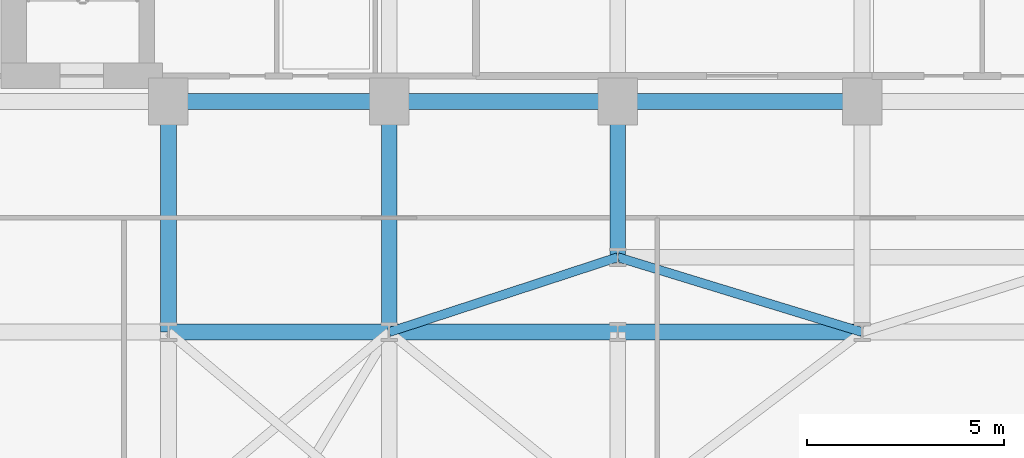
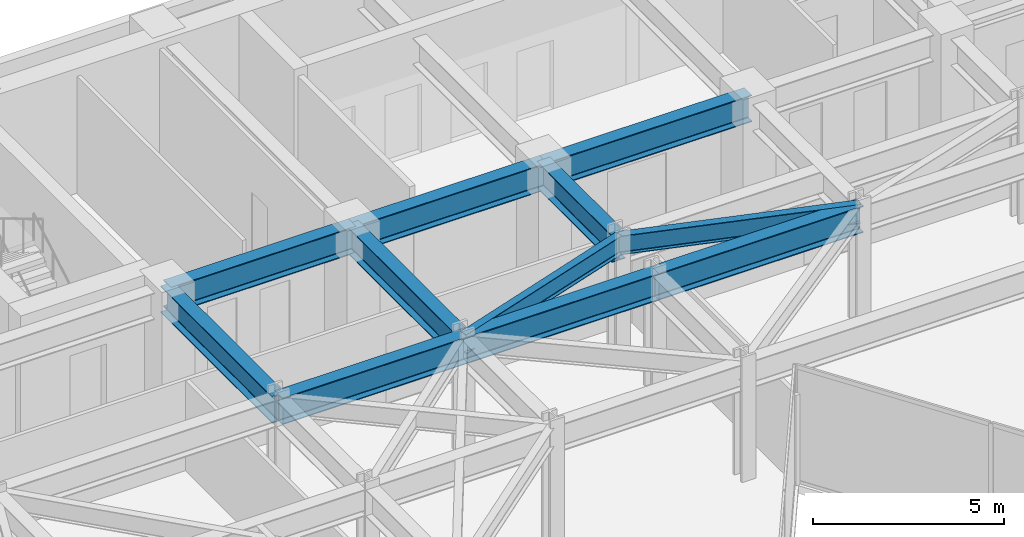
# One storey, part 14 of 26: 11 beams.
"""IFC4 building model written with IfcOpenShell, lengths in metres."""

from ifc_helpers import new_model, si_unit, direction, frame, origin, origin_2d, place, context, subcontext, project, spatial, i_section, extrude, material, material_profile, profile_set, type_object, element, save


model = new_model("IFC4")

# Units and contexts
model_context = context("Model", 3, precision=1e-05, world=origin(), true_north=direction((0.0, 1.0)))
body_context = subcontext(model_context, "Body", "Model", "MODEL_VIEW")
ifc_project = project(units=[si_unit("LENGTHUNIT", "METRE"), si_unit("AREAUNIT", "SQUARE_METRE"), si_unit("VOLUMEUNIT", "CUBIC_METRE"), si_unit("PLANEANGLEUNIT", "RADIAN"), si_unit("MASSUNIT", "GRAM", prefix="KILO")], contexts=[model_context])

# Site, building, storey
site_placement = place(None, origin())
site = spatial("IfcSite", under=ifc_project, at=site_placement, CompositionType="ELEMENT")
building_placement = place(site_placement, origin())
building = spatial("IfcBuilding", under=site, at=building_placement, Name="Kravanh Interchange Tower", CompositionType="ELEMENT")
storey_placement = place(building_placement, frame((0.0, 0.0, 120.0)))
storey = spatial("IfcBuildingStorey", under=building, at=storey_placement, Name="L28", CompositionType="ELEMENT", Elevation=120.0)

# Beams
ifc_material_1 = material(Name="Structural Steel S355", Category="steel")
ifc_material_profile_1 = material_profile(ifc_material_1, i_section(OverallWidth=0.39990234375, OverallDepth=0.85595703125, WebThickness=0.018310546875, FlangeThickness=0.029296875, FilletRadius=0.02490234375, at=origin_2d()), Name="W33X201")
ifc_profile_set_1 = profile_set([ifc_material_profile_1], Name="Structural Steel S355")
beam_type_1 = type_object("IfcBeamType", Name="Floor Beam W33X201 Structural Steel S355", PredefinedType="BEAM", material=ifc_profile_set_1)
beam_1_placement = place(storey_placement, frame((44.800048828125, 37.35009765625, 3.322021484375), z_axis=(-1.0, 0.0, 0.0), x_axis=(0.0, -1.0, 0.0)))
element("IfcBeam", 1, at=beam_1_placement, inside=storey, type_object=beam_type_1, Name="L28 Primary Floor Girder 13", PredefinedType="BEAM", context=body_context, shape_type="SweptSolid", body=[
    extrude(i_section(OverallWidth=0.39990234375, OverallDepth=0.85595703125, WebThickness=0.018310546875, FlangeThickness=0.029296875, FilletRadius=0.02490234375, at=origin_2d()), origin(), (0.0, 0.0, 1.0), 6.199951171875),
])
beam_2_placement = place(storey_placement, frame((38.60009765625, 37.35009765625, 3.322021484375), z_axis=(0.0, -1.0, 0.0), x_axis=(1.0, 0.0, 0.0)))
element("IfcBeam", 2, at=beam_2_placement, inside=storey, type_object=beam_type_1, Name="L28 Primary Floor Girder 16", PredefinedType="BEAM", context=body_context, shape_type="SweptSolid", body=[
    extrude(i_section(OverallWidth=0.39990234375, OverallDepth=0.85595703125, WebThickness=0.018310546875, FlangeThickness=0.029296875, FilletRadius=0.02490234375, at=origin_2d()), origin(), (0.0, 0.0, 1.0), 3.9501953125),
])
beam_3_placement = place(storey_placement, frame((38.60009765625, 37.35009765625, 3.322021484375), z_axis=(-1.0, 0.0, 0.0), x_axis=(0.0, -1.0, 0.0)))
element("IfcBeam", 3, at=beam_3_placement, inside=storey, type_object=beam_type_1, Name="L28 Primary Floor Girder 17", PredefinedType="BEAM", context=body_context, shape_type="SweptSolid", body=[
    extrude(i_section(OverallWidth=0.39990234375, OverallDepth=0.85595703125, WebThickness=0.018310546875, FlangeThickness=0.029296875, FilletRadius=0.02490234375, at=origin_2d()), origin(), (0.0, 0.0, 1.0), 5.800048828125),
])
beam_4_placement = place(storey_placement, frame((32.800048828125, 37.35009765625, 3.322021484375), z_axis=(-1.0, 0.0, 0.0), x_axis=(0.0, -1.0, 0.0)))
element("IfcBeam", 4, at=beam_4_placement, inside=storey, type_object=beam_type_1, Name="L28 Primary Floor Girder 20", PredefinedType="BEAM", context=body_context, shape_type="SweptSolid", body=[
    extrude(i_section(OverallWidth=0.39990234375, OverallDepth=0.85595703125, WebThickness=0.018310546875, FlangeThickness=0.029296875, FilletRadius=0.02490234375, at=origin_2d()), origin(), (0.0, 0.0, 1.0), 5.60009765625),
])
for number, where, z_axis, x_axis, name in (
    (5, (32.800048828125, 37.35009765625, 3.322021484375), (0.0, -1.0, 0.0), (1.0, 0.0, 0.0), "L28 Primary Floor Girder 21"),
    (6, (27.199951171875, 37.35009765625, 3.322021484375), (0.0, -1.0, 0.0), (1.0, 0.0, 0.0), "L28 Primary Floor Girder 24"),
):
    element("IfcBeam", number, at=place(storey_placement, frame(where, z_axis=z_axis, x_axis=x_axis)), inside=storey, type_object=beam_type_1, Name=name, PredefinedType="BEAM", context=body_context, shape_type="SweptSolid", body=[
        extrude(i_section(OverallWidth=0.39990234375, OverallDepth=0.85595703125, WebThickness=0.018310546875, FlangeThickness=0.029296875, FilletRadius=0.02490234375, at=origin_2d()), origin(), (0.0, 0.0, 1.0), 5.85009765625),
    ])
beam_5_placement = place(storey_placement, frame((27.199951171875, 31.5, 3.322021484375), z_axis=(1.0, 0.0, 0.0), x_axis=(0.0, 1.0, 0.0)))
element("IfcBeam", 7, at=beam_5_placement, inside=storey, type_object=beam_type_1, Name="L28 Primary Floor Girder 74", PredefinedType="BEAM", context=body_context, shape_type="SweptSolid", body=[
    extrude(i_section(OverallWidth=0.39990234375, OverallDepth=0.85595703125, WebThickness=0.018310546875, FlangeThickness=0.029296875, FilletRadius=0.02490234375, at=origin_2d()), origin(), (0.0, 0.0, 1.0), 5.60009765625),
])
beam_6_placement = place(storey_placement, frame((32.800048828125, 31.5, 3.322021484375), z_axis=(1.0, 0.0, 0.0), x_axis=(0.0, 1.0, 0.0)))
element("IfcBeam", 8, at=beam_6_placement, inside=storey, type_object=beam_type_1, Name="L28 Primary Floor Girder 78", PredefinedType="BEAM", context=body_context, shape_type="SweptSolid", body=[
    extrude(i_section(OverallWidth=0.39990234375, OverallDepth=0.85595703125, WebThickness=0.018310546875, FlangeThickness=0.029296875, FilletRadius=0.02490234375, at=origin_2d()), origin(), (0.0, 0.0, 1.0), 5.800048828125),
])
beam_7_placement = place(storey_placement, frame((38.60009765625, 31.5, 3.322021484375), z_axis=(1.0, 0.0, 0.0), x_axis=(0.0, 1.0, 0.0)))
element("IfcBeam", 9, at=beam_7_placement, inside=storey, type_object=beam_type_1, Name="L28 Primary Floor Girder 81", PredefinedType="BEAM", context=body_context, shape_type="SweptSolid", body=[
    extrude(i_section(OverallWidth=0.39990234375, OverallDepth=0.85595703125, WebThickness=0.018310546875, FlangeThickness=0.029296875, FilletRadius=0.02490234375, at=origin_2d()), origin(), (0.0, 0.0, 1.0), 6.199951171875),
])
ifc_material_2 = material(Name="Structural Steel S355", Category="steel")
ifc_material_profile_2 = material_profile(ifc_material_2, i_section(OverallWidth=0.22802734375, OverallDepth=0.60791015625, WebThickness=0.01123046875, FlangeThickness=0.017333984375, FilletRadius=0.02197265625, at=origin_2d()), Name="W24X76")
ifc_profile_set_2 = profile_set([ifc_material_profile_2], Name="Structural Steel S355")
beam_type_2 = type_object("IfcBeamType", Name="Floor Spandrel W24X76 Structural Steel S355", PredefinedType="SPANDREL", material=ifc_profile_set_2)
beam_8_placement = place(storey_placement, frame((32.800048828125, 31.5, 3.446044921875), z_axis=(0.950314536578, 0.31129131303, 0.0), x_axis=(-0.31129131303, 0.950314536578, 0.0)))
element("IfcBeam", 10, at=beam_8_placement, inside=storey, type_object=beam_type_2, Name="L28 Perimeter Spandrel 79", PredefinedType="SPANDREL", context=body_context, shape_type="SweptSolid", body=[
    extrude(i_section(OverallWidth=0.22802734375, OverallDepth=0.60791015625, WebThickness=0.01123046875, FlangeThickness=0.017333984375, FilletRadius=0.02197265625, at=origin_2d()), origin(), (0.0, 0.0, 1.0), 6.103271484375),
])
beam_9_placement = place(storey_placement, frame((44.800048828125, 31.5, 3.446044921875), z_axis=(-0.956115397264, 0.292990353279, 0.0), x_axis=(-0.292990353279, -0.956115397264, 0.0)))
element("IfcBeam", 11, at=beam_9_placement, inside=storey, type_object=beam_type_2, Name="L28 Perimeter Spandrel 85", PredefinedType="SPANDREL", context=body_context, shape_type="SweptSolid", body=[
    extrude(i_section(OverallWidth=0.22802734375, OverallDepth=0.60791015625, WebThickness=0.01123046875, FlangeThickness=0.017333984375, FilletRadius=0.02197265625, at=origin_2d()), origin(), (0.0, 0.0, 1.0), 6.484619140625),
])

save(model, "model.ifc")
